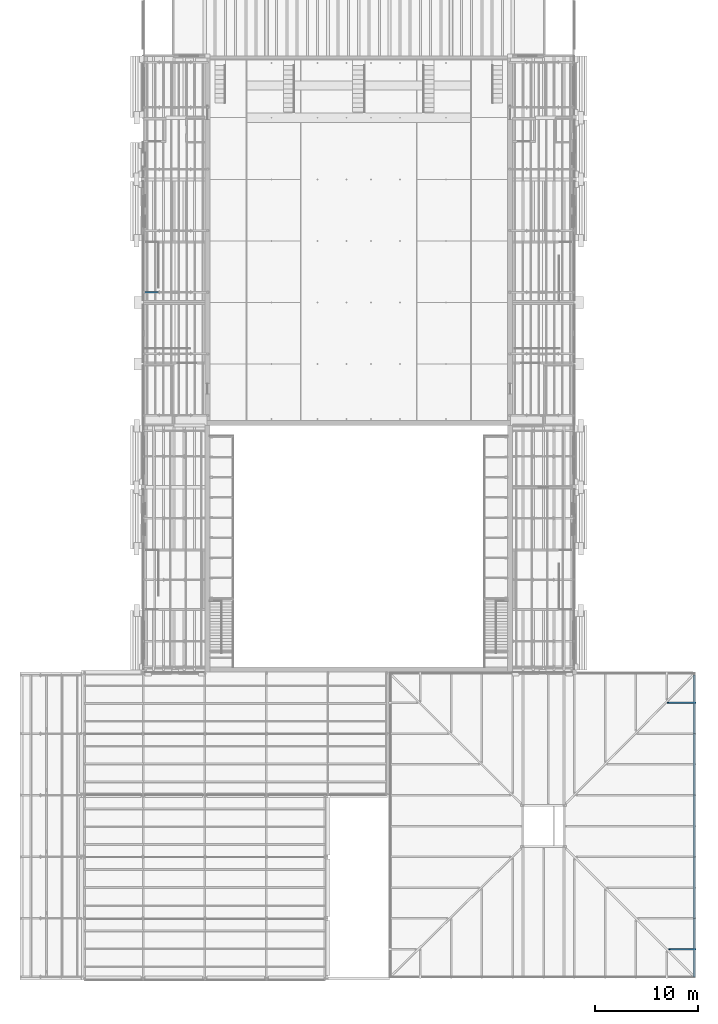
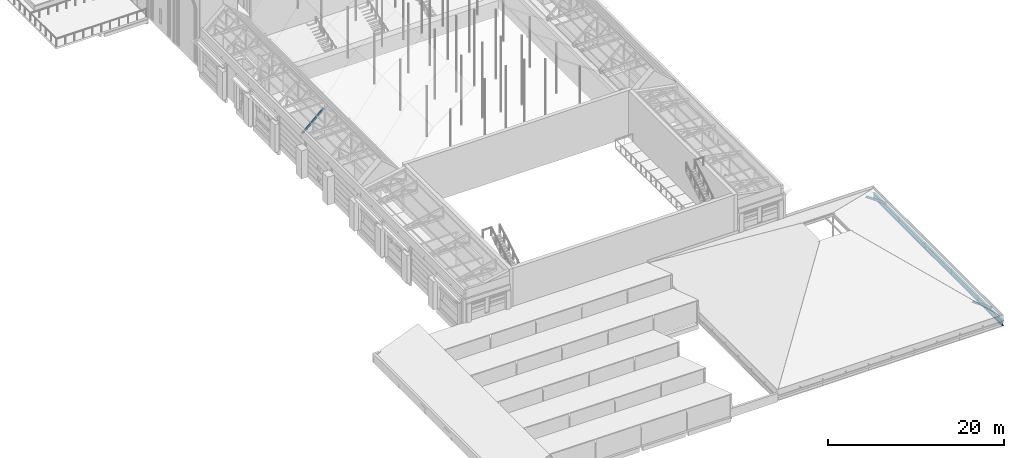
# One storey, part 35 of 118: 5 beams, 3 members.
"""IFC4 building model written with IfcOpenShell, lengths in metres."""

from ifc_helpers import new_model, si_unit, direction, frame, origin, origin_2d, place, context, subcontext, project, spatial, hollow_rectangle, i_section, extrude, material, material_profile, profile_set, type_object, element, save


model = new_model("IFC4")

# Units and contexts
model_context = context("Model", 3, precision=1e-05, world=origin(), true_north=direction((0.0, 1.0)))
body_context = subcontext(model_context, "Body", "Model", "MODEL_VIEW")
ifc_project = project(units=[si_unit("LENGTHUNIT", "METRE"), si_unit("AREAUNIT", "SQUARE_METRE"), si_unit("VOLUMEUNIT", "CUBIC_METRE"), si_unit("PLANEANGLEUNIT", "RADIAN"), si_unit("MASSUNIT", "GRAM", prefix="KILO")], contexts=[model_context])

# Site, building, storey
site_placement = place(None, origin())
site = spatial("IfcSite", under=ifc_project, at=site_placement, CompositionType="ELEMENT")
building_placement = place(site_placement, origin())
building = spatial("IfcBuilding", under=site, at=building_placement, Name="Saffron Lane Theatres", CompositionType="ELEMENT")
storey_placement = place(building_placement, frame((0.0, 0.0, 16.5)))
storey = spatial("IfcBuildingStorey", under=building, at=storey_placement, Name="L03", CompositionType="ELEMENT", Elevation=16.5)

# Beams
ifc_material_1 = material(Name="Steel Grade 350", Category="steel")
ifc_material_profile_1 = material_profile(ifc_material_1, i_section(OverallWidth=0.25, OverallDepth=0.699951171875, WebThickness=0.010009765625, FlangeThickness=0.02001953125, at=origin_2d()))
ifc_profile_set_1 = profile_set([ifc_material_profile_1], Name="Steel Grade 350")
beam_type = type_object("IfcBeamType", Name="ST-EAVE BEAM 700WB130", PredefinedType="BEAM", material=ifc_profile_set_1)
beam_1_placement = place(storey_placement, frame((65.699951171875, 0.27490234375, 0.35009765625), z_axis=(0.0, 1.0, 0.0), x_axis=(-1.0, 0.0, 0.0)))
element("IfcBeam", 1, at=beam_1_placement, inside=storey, type_object=beam_type, Name="SE13", PredefinedType="BEAM", context=body_context, shape_type="SweptSolid", body=[
    extrude(i_section(OverallWidth=0.25, OverallDepth=0.699951171875, WebThickness=0.010009765625, FlangeThickness=0.02001953125, at=origin_2d()), origin(), (0.0, 0.0, 1.0), 5.72509765625),
])
for number, where, z_axis, x_axis, name in (
    (2, (65.699951171875, 6.0, 0.35009765625), (0.0, 1.0, 0.0), (-1.0, 0.0, 0.0), "SE14"),
    (3, (65.699951171875, 12.0, 0.35009765625), (0.0, 1.0, 0.0), (-1.0, 0.0, 0.0), "SE15"),
    (4, (65.699951171875, 18.0, 0.35009765625), (0.0, 1.0, 0.0), (-1.0, 0.0, 0.0), "SE16"),
):
    element("IfcBeam", number, at=place(storey_placement, frame(where, z_axis=z_axis, x_axis=x_axis)), inside=storey, type_object=beam_type, Name=name, PredefinedType="BEAM", context=body_context, shape_type="SweptSolid", body=[
        extrude(i_section(OverallWidth=0.25, OverallDepth=0.699951171875, WebThickness=0.010009765625, FlangeThickness=0.02001953125, at=origin_2d()), origin(), (0.0, 0.0, 1.0), 6.0),
    ])
beam_2_placement = place(storey_placement, frame((65.699951171875, 24.0, 0.35009765625), z_axis=(0.0, 1.0, 0.0), x_axis=(-1.0, 0.0, 0.0)))
element("IfcBeam", 5, at=beam_2_placement, inside=storey, type_object=beam_type, Name="SE17", PredefinedType="BEAM", context=body_context, shape_type="SweptSolid", body=[
    extrude(i_section(OverallWidth=0.25, OverallDepth=0.699951171875, WebThickness=0.010009765625, FlangeThickness=0.02001953125, at=origin_2d()), origin(), (0.0, 0.0, 1.0), 5.72509765625),
])

# Members
ifc_material_2 = material(Name="Steel Grade 350", Category="steel")
ifc_material_profile_2 = material_profile(ifc_material_2, i_section(OverallWidth=0.14599609375, OverallDepth=0.251953125, WebThickness=0.006103515625, FlangeThickness=0.008544921875, FilletRadius=0.011962890625, at=origin_2d()))
ifc_profile_set_2 = profile_set([ifc_material_profile_2], Name="Steel Grade 350")
member_type_1 = type_object("IfcMemberType", Name="ST-JACK RAFTER 250UB31.4", PredefinedType="RAFTER", material=ifc_profile_set_2)
member_1_placement = place(storey_placement, frame((65.772216796875, 3.0, 0.80322265625), z_axis=(-0.819819928721, 0.0, 0.572621414612), x_axis=(0.0, -1.0, 0.0)))
element("IfcMember", 6, at=member_1_placement, inside=storey, type_object=member_type_1, Name="SK20", PredefinedType="RAFTER", context=body_context, shape_type="SweptSolid", body=[
    extrude(i_section(OverallWidth=0.14599609375, OverallDepth=0.251953125, WebThickness=0.006103515625, FlangeThickness=0.008544921875, FilletRadius=0.011962890625, at=origin_2d()), origin(), (0.0, 0.0, 1.0), 3.09912109375),
])
member_2_placement = place(storey_placement, frame((65.772216796875, 27.0, 0.80322265625), z_axis=(-0.819822067922, 0.0, 0.572618351913), x_axis=(0.0, -1.0, 0.0)))
element("IfcMember", 7, at=member_2_placement, inside=storey, type_object=member_type_1, Name="SK36", PredefinedType="RAFTER", context=body_context, shape_type="SweptSolid", body=[
    extrude(i_section(OverallWidth=0.14599609375, OverallDepth=0.251953125, WebThickness=0.006103515625, FlangeThickness=0.008544921875, FilletRadius=0.011962890625, at=origin_2d()), origin(), (0.0, 0.0, 1.0), 3.243408203125),
])
ifc_material_3 = material(Name="Steel Grade 350", Category="steel")
ifc_material_profile_3 = material_profile(ifc_material_3, hollow_rectangle(XDim=0.14990234375, YDim=0.25, WallThickness=0.009033203125, InnerFilletRadius=0.00439453125, OuterFilletRadius=0.013427734375, at=origin_2d()))
ifc_profile_set_3 = profile_set([ifc_material_profile_3], Name="Steel Grade 350")
member_type_2 = type_object("IfcMemberType", Name="ST-STUDIO TRUSS CHORD 250x150x9 RHS", PredefinedType="CHORD", material=ifc_profile_set_3)
member_3_placement = place(storey_placement, frame((12.113037109375, 67.0, 5.01708984375), z_axis=(0.748231613734, 0.0, 0.663437602348), x_axis=(0.0, 1.0, 0.0)))
element("IfcMember", 8, at=member_3_placement, inside=storey, type_object=member_type_2, Name="SB1-C18", PredefinedType="CHORD", context=body_context, shape_type="SweptSolid", body=[
    extrude(hollow_rectangle(XDim=0.14990234375, YDim=0.25, WallThickness=0.009033203125, InnerFilletRadius=0.00439453125, OuterFilletRadius=0.013427734375, at=origin_2d()), origin(), (0.0, 0.0, 1.0), 3.797607421875),
])

save(model, "model.ifc")
